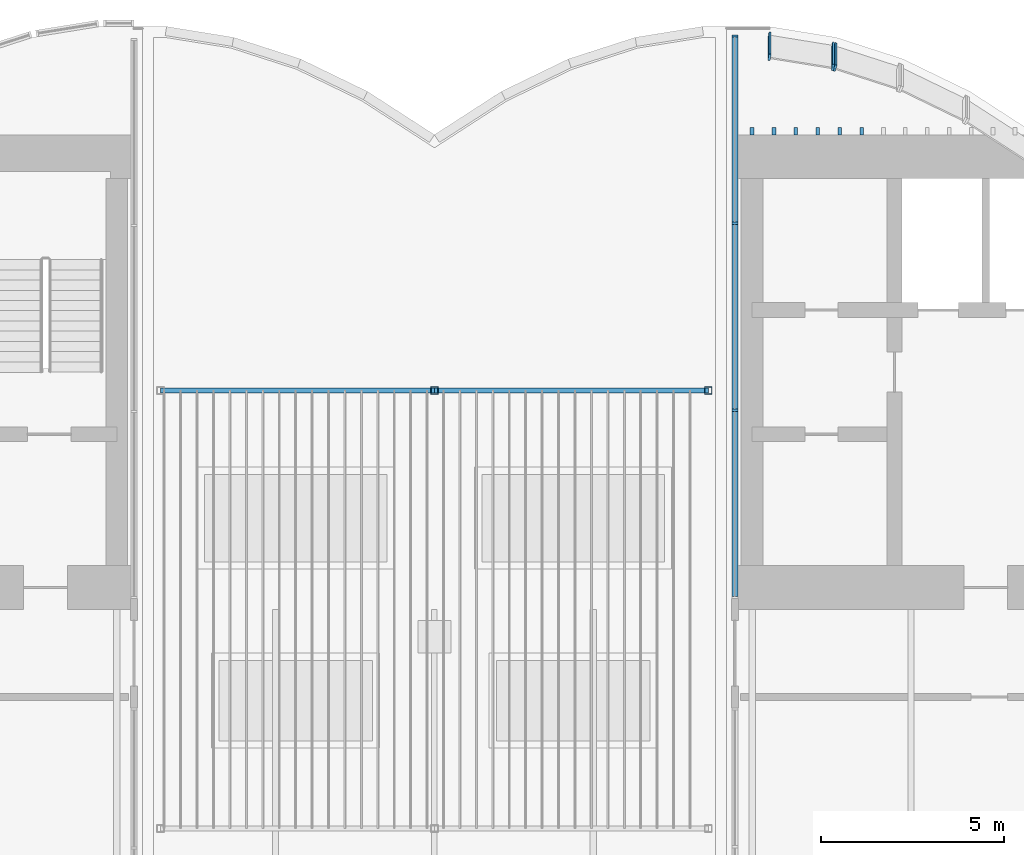
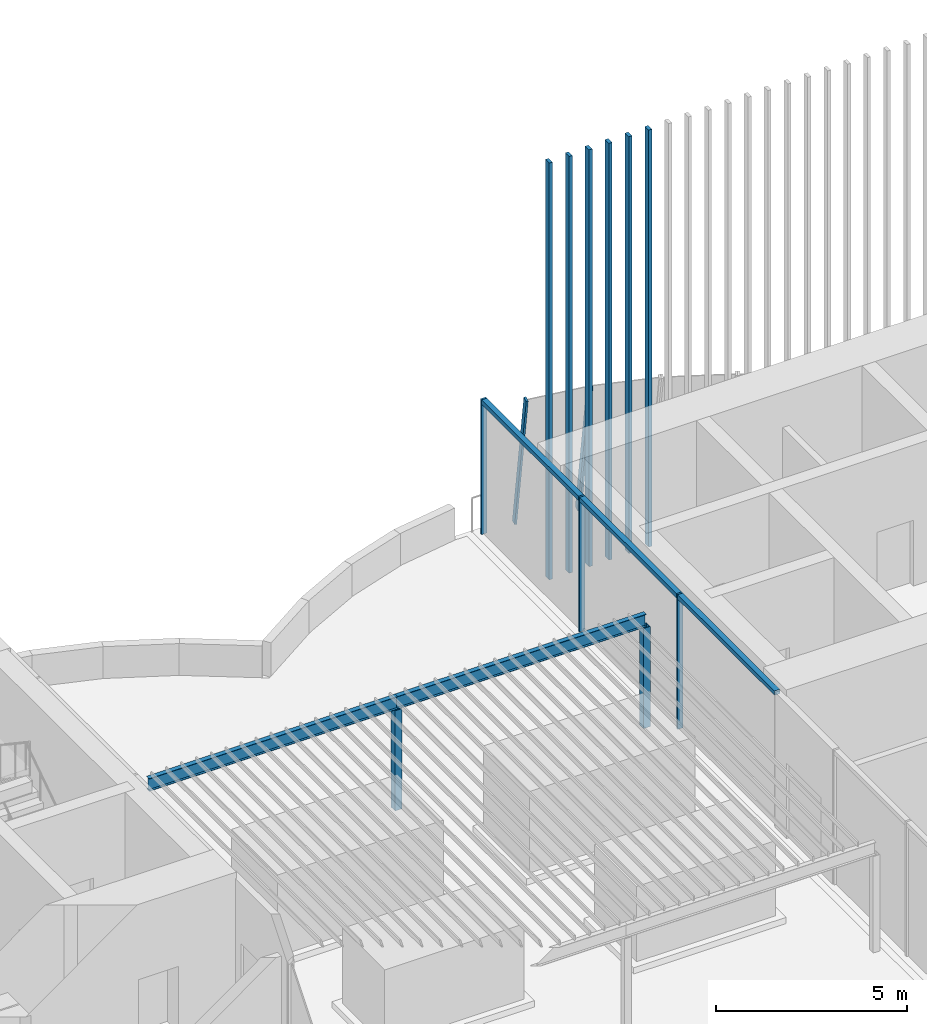
# One storey, part 8 of 18: 19 members, 5 elements without a shape of their own.
"""IFC4 building model written with IfcOpenShell, lengths in metres."""

from ifc_helpers import new_model, si_unit, direction, frame, origin, origin_2d, place, context, subcontext, project, spatial, rectangle, hollow_rectangle, i_section, extrude, material, material_profile, profile_set, type_object, element, aggregate, save


model = new_model("IFC4")

# Units and contexts
model_context = context("Model", 3, precision=1e-05, world=origin(), true_north=direction((0.0, 1.0)))
body_context = subcontext(model_context, "Body", "Model", "MODEL_VIEW")
ifc_project = project(units=[si_unit("LENGTHUNIT", "METRE"), si_unit("AREAUNIT", "SQUARE_METRE"), si_unit("VOLUMEUNIT", "CUBIC_METRE"), si_unit("PLANEANGLEUNIT", "RADIAN"), si_unit("MASSUNIT", "GRAM", prefix="KILO")], contexts=[model_context])

# Site, building, storey
site_placement = place(None, origin())
site = spatial("IfcSite", under=ifc_project, at=site_placement, CompositionType="ELEMENT")
building_placement = place(site_placement, origin())
building = spatial("IfcBuilding", under=site, at=building_placement, Name="Bicima Exchange Tower", CompositionType="ELEMENT")
storey_placement = place(building_placement, frame((0.0, 0.0, 347.89990234375)))
storey = spatial("IfcBuildingStorey", under=building, at=storey_placement, Name="L78", CompositionType="ELEMENT", Elevation=347.89990234375)

# Curtain wall, member
ifc_material_1 = material(Name="Anodised bronze aluminium", Category="aluminium")
curtain_wall_type_1 = type_object("IfcCurtainWallType", Name="Crown glass wall", PredefinedType="NOTDEFINED", material=ifc_material_1)
curtain_wall_1_placement = place(storey_placement, origin())
curtain_wall_1 = element("IfcCurtainWall", 1, at=curtain_wall_1_placement, inside=storey, type_object=curtain_wall_type_1, Name="Crown tilted glass L78 5.1", PredefinedType="NOTDEFINED")
ifc_material_profile_1 = material_profile(ifc_material_1, rectangle(XDim=0.179931640625, YDim=0.06005859375, at=origin_2d()))
ifc_profile_set_1 = profile_set([ifc_material_profile_1], Name="Anodised bronze aluminium")
member_type_1 = type_object("IfcMemberType", Name="Crown glass wall mullion 60 x 180", PredefinedType="MULLION", material=ifc_profile_set_1)
member_1_placement = place(storey_placement, frame((10.974609375, 2.43310546875, 0.0), z_axis=(0.0, -0.139154039626, 0.99027074745), x_axis=(-0.307572519808, -0.942267018828, -0.132408497791)))
member_1 = element("IfcMember", 2, at=member_1_placement, type_object=member_type_1, Name="Crown tilted mullion 2", PredefinedType="MULLION", context=body_context, shape_type="SweptSolid", body=[
    extrude(rectangle(XDim=0.179931640625, YDim=0.06005859375, at=origin_2d()), origin(), (0.0, 0.0, 1.0), 4.34228515625),
])
aggregate(curtain_wall_1, [member_1])

# Curtain wall, members
curtain_wall_2_placement = place(storey_placement, origin())
curtain_wall_2 = element("IfcCurtainWall", 3, at=curtain_wall_2_placement, inside=storey, type_object=curtain_wall_type_1, Name="Crown tilted glass L78 6.1", PredefinedType="NOTDEFINED")
member_2_placement = place(storey_placement, frame((10.91650390625, 2.447265625, 0.0), z_axis=(0.0, -0.139154039626, 0.99027074745), x_axis=(-0.159550386184, -0.977585167601, -0.137371446648)))
member_2 = element("IfcMember", 4, at=member_2_placement, type_object=member_type_1, Name="Crown tilted mullion 1", PredefinedType="MULLION", context=body_context, shape_type="SweptSolid", body=[
    extrude(rectangle(XDim=0.179931640625, YDim=0.06005859375, at=origin_2d()), origin(), (0.0, 0.0, 1.0), 4.34228515625),
])
member_3_placement = place(storey_placement, frame((9.177734375, 2.728271484375, 0.0), z_axis=(0.0, -0.139209174124, 0.990262998319), x_axis=(-0.159550386184, -0.977577517738, -0.137425874861)))
member_3 = element("IfcMember", 5, at=member_3_placement, type_object=member_type_1, Name="Crown tilted mullion 2", PredefinedType="MULLION", context=body_context, shape_type="SweptSolid", body=[
    extrude(rectangle(XDim=0.179931640625, YDim=0.06005859375, at=origin_2d()), origin(), (0.0, 0.0, 1.0), 4.34228515625),
])
aggregate(curtain_wall_2, [member_2, member_3])

curtain_wall_type_2 = type_object("IfcCurtainWallType", Name="Louvre screen", PredefinedType="NOTDEFINED", material=ifc_material_1)
curtain_wall_3_placement = place(storey_placement, origin())
curtain_wall_3 = element("IfcCurtainWall", 6, at=curtain_wall_3_placement, inside=storey, type_object=curtain_wall_type_2, Name="Crown louvre SCREEN east", PredefinedType="NOTDEFINED")
ifc_material_profile_2 = material_profile(ifc_material_1, rectangle(XDim=0.10009765625, YDim=0.199951171875, at=origin_2d()))
ifc_profile_set_2 = profile_set([ifc_material_profile_2], Name="Anodised bronze aluminium")
member_type_2 = type_object("IfcMemberType", Name="Crown louvre fin 200 x 100", PredefinedType="USERDEFINED", material=ifc_profile_set_2)
member_4_placement = place(storey_placement, frame((8.699951171875, 0.10009765625, 0.0), z_axis=(0.0, 0.0, 1.0), x_axis=(1.0, 0.0, 0.0)))
member_4 = element("IfcMember", 7, at=member_4_placement, type_object=member_type_2, Name="Crown louvre fin", ObjectType="SCREEN", PredefinedType="USERDEFINED", context=body_context, shape_type="SweptSolid", body=[
    extrude(rectangle(XDim=0.10009765625, YDim=0.199951171875, at=origin_2d()), origin(), (0.0, 0.0, 1.0), 13.300048828125),
])
member_5_placement = place(storey_placement, frame((9.300048828125, 0.10009765625, 0.0), z_axis=(0.0, 0.0, 1.0), x_axis=(1.0, 0.0, 0.0)))
member_5 = element("IfcMember", 8, at=member_5_placement, type_object=member_type_2, Name="Crown louvre fin", ObjectType="SCREEN", PredefinedType="USERDEFINED", context=body_context, shape_type="SweptSolid", body=[
    extrude(rectangle(XDim=0.10009765625, YDim=0.199951171875, at=origin_2d()), origin(), (0.0, 0.0, 1.0), 13.300048828125),
])
member_6_placement = place(storey_placement, frame((9.89990234375, 0.10009765625, 0.0), z_axis=(0.0, 0.0, 1.0), x_axis=(1.0, 0.0, 0.0)))
member_6 = element("IfcMember", 9, at=member_6_placement, type_object=member_type_2, Name="Crown louvre fin", ObjectType="SCREEN", PredefinedType="USERDEFINED", context=body_context, shape_type="SweptSolid", body=[
    extrude(rectangle(XDim=0.10009765625, YDim=0.199951171875, at=origin_2d()), origin(), (0.0, 0.0, 1.0), 13.300048828125),
])
member_7_placement = place(storey_placement, frame((10.5, 0.10009765625, 0.0), z_axis=(0.0, 0.0, 1.0), x_axis=(1.0, 0.0, 0.0)))
member_7 = element("IfcMember", 10, at=member_7_placement, type_object=member_type_2, Name="Crown louvre fin", ObjectType="SCREEN", PredefinedType="USERDEFINED", context=body_context, shape_type="SweptSolid", body=[
    extrude(rectangle(XDim=0.10009765625, YDim=0.199951171875, at=origin_2d()), origin(), (0.0, 0.0, 1.0), 13.300048828125),
])
member_8_placement = place(storey_placement, frame((11.10009765625, 0.10009765625, 0.0), z_axis=(0.0, 0.0, 1.0), x_axis=(1.0, 0.0, 0.0)))
member_8 = element("IfcMember", 11, at=member_8_placement, type_object=member_type_2, Name="Crown louvre fin", ObjectType="SCREEN", PredefinedType="USERDEFINED", context=body_context, shape_type="SweptSolid", body=[
    extrude(rectangle(XDim=0.10009765625, YDim=0.199951171875, at=origin_2d()), origin(), (0.0, 0.0, 1.0), 13.300048828125),
])
member_9_placement = place(storey_placement, frame((11.699951171875, 0.10009765625, 0.0), z_axis=(0.0, 0.0, 1.0), x_axis=(1.0, 0.0, 0.0)))
member_9 = element("IfcMember", 12, at=member_9_placement, type_object=member_type_2, Name="Crown louvre fin", ObjectType="SCREEN", PredefinedType="USERDEFINED", context=body_context, shape_type="SweptSolid", body=[
    extrude(rectangle(XDim=0.10009765625, YDim=0.199951171875, at=origin_2d()), origin(), (0.0, 0.0, 1.0), 13.300048828125),
])
aggregate(curtain_wall_3, [member_4, member_5, member_6, member_7, member_8, member_9])

curtain_wall_type_3 = type_object("IfcCurtainWallType", Name="End face glass wall", PredefinedType="NOTDEFINED", material=ifc_material_1)
curtain_wall_4_placement = place(storey_placement, origin())
curtain_wall_4 = element("IfcCurtainWall", 13, at=curtain_wall_4_placement, inside=storey, type_object=curtain_wall_type_3, Name="End face glass wall L78 run 2.1", PredefinedType="NOTDEFINED")
ifc_material_profile_3 = material_profile(ifc_material_1, rectangle(XDim=0.159912109375, YDim=0.06005859375, at=origin_2d()))
ifc_profile_set_3 = profile_set([ifc_material_profile_3], Name="Anodised bronze aluminium")
member_type_3 = type_object("IfcMemberType", Name="End face glass wall mullion 60 x 160", PredefinedType="MULLION", material=ifc_profile_set_3)
member_10_placement = place(storey_placement, frame((8.22998046875, 2.702880859375, 0.0), z_axis=(0.0, 0.0, 1.0), x_axis=(1.0, 0.0, 0.0)))
member_10 = element("IfcMember", 14, at=member_10_placement, type_object=member_type_3, Name="End face glass wall mullion 1", PredefinedType="MULLION", context=body_context, shape_type="SweptSolid", body=[
    extrude(rectangle(XDim=0.159912109375, YDim=0.06005859375, at=origin_2d()), origin(), (0.0, 0.0, 1.0), 4.300048828125),
])
member_11_placement = place(storey_placement, frame((8.22998046875, -2.42138671875, 0.0), z_axis=(0.0, 0.0, 1.0), x_axis=(1.0, 0.0, 0.0)))
member_11 = element("IfcMember", 15, at=member_11_placement, type_object=member_type_3, Name="End face glass wall mullion 2", PredefinedType="MULLION", context=body_context, shape_type="SweptSolid", body=[
    extrude(rectangle(XDim=0.159912109375, YDim=0.06005859375, at=origin_2d()), origin(), (0.0, 0.0, 1.0), 4.300048828125),
])
member_12_placement = place(storey_placement, frame((8.22998046875, -7.545654296875, 0.0), z_axis=(0.0, 0.0, 1.0), x_axis=(1.0, 0.0, 0.0)))
member_12 = element("IfcMember", 16, at=member_12_placement, type_object=member_type_3, Name="End face glass wall mullion 3", PredefinedType="MULLION", context=body_context, shape_type="SweptSolid", body=[
    extrude(rectangle(XDim=0.159912109375, YDim=0.06005859375, at=origin_2d()), origin(), (0.0, 0.0, 1.0), 4.300048828125),
])
ifc_material_profile_4 = material_profile(ifc_material_1, rectangle(XDim=0.159912109375, YDim=0.139892578125, at=origin_2d()))
ifc_profile_set_4 = profile_set([ifc_material_profile_4], Name="Anodised bronze aluminium")
member_type_4 = type_object("IfcMemberType", Name="End face glass wall transom 140 x 160", PredefinedType="USERDEFINED", material=ifc_profile_set_4)
member_13_placement = place(storey_placement, frame((8.22998046875, 2.673095703125, 4.22998046875), z_axis=(0.0, -1.0, 0.0), x_axis=(1.0, 0.0, 0.0)))
member_13 = element("IfcMember", 17, at=member_13_placement, type_object=member_type_4, Name="End face glass wall transom 1.1", ObjectType="TRANSOM", PredefinedType="USERDEFINED", context=body_context, shape_type="SweptSolid", body=[
    extrude(rectangle(XDim=0.159912109375, YDim=0.139892578125, at=origin_2d()), origin(), (0.0, 0.0, 1.0), 5.064453125),
])
member_14_placement = place(storey_placement, frame((8.22998046875, -2.451416015625, 4.22998046875), z_axis=(0.0, -1.0, 0.0), x_axis=(1.0, 0.0, 0.0)))
member_14 = element("IfcMember", 18, at=member_14_placement, type_object=member_type_4, Name="End face glass wall transom 2.1", ObjectType="TRANSOM", PredefinedType="USERDEFINED", context=body_context, shape_type="SweptSolid", body=[
    extrude(rectangle(XDim=0.159912109375, YDim=0.139892578125, at=origin_2d()), origin(), (0.0, 0.0, 1.0), 5.064208984375),
])
member_15_placement = place(storey_placement, frame((8.22998046875, -7.57568359375, 4.22998046875), z_axis=(0.0, -1.0, 0.0), x_axis=(1.0, 0.0, 0.0)))
member_15 = element("IfcMember", 19, at=member_15_placement, type_object=member_type_4, Name="End face glass wall transom 3.1", ObjectType="TRANSOM", PredefinedType="USERDEFINED", context=body_context, shape_type="SweptSolid", body=[
    extrude(rectangle(XDim=0.159912109375, YDim=0.139892578125, at=origin_2d()), origin(), (0.0, 0.0, 1.0), 5.064208984375),
])
aggregate(curtain_wall_4, [member_10, member_11, member_12, member_13, member_14, member_15])

curtain_wall_5_placement = place(storey_placement, origin())
curtain_wall_5 = element("IfcCurtainWall", 20, at=curtain_wall_5_placement, inside=storey, type_object=curtain_wall_type_2, Name="Slot roof louvre SCREEN", PredefinedType="NOTDEFINED")
ifc_material_2 = material(Name="Steel ASTM A992 Gr 50", Category="steel")
ifc_material_profile_5 = material_profile(ifc_material_2, i_section(OverallWidth=0.140380859375, OverallDepth=0.40380859375, WebThickness=0.007080078125, FlangeThickness=0.01123046875, at=origin_2d()))
ifc_profile_set_5 = profile_set([ifc_material_profile_5], Name="Steel ASTM A992 Gr 50")
member_type_5 = type_object("IfcMemberType", Name="Louvre screen beam W16x31", PredefinedType="USERDEFINED", material=ifc_profile_set_5)
member_16_placement = place(storey_placement, frame((-7.5, -7.0, 3.398193359375), z_axis=(1.0, 0.0, 0.0), x_axis=(0.0, 1.0, 0.0)))
member_16 = element("IfcMember", 21, at=member_16_placement, type_object=member_type_5, Name="Louvre screen beam", ObjectType="Louvre screen beam", PredefinedType="USERDEFINED", context=body_context, shape_type="SweptSolid", body=[
    extrude(i_section(OverallWidth=0.140380859375, OverallDepth=0.40380859375, WebThickness=0.007080078125, FlangeThickness=0.01123046875, at=origin_2d()), origin(), (0.0, 0.0, 1.0), 7.5),
])
member_17_placement = place(storey_placement, frame((0.0, -7.0, 3.398193359375), z_axis=(1.0, 0.0, 0.0), x_axis=(0.0, 1.0, 0.0)))
member_17 = element("IfcMember", 22, at=member_17_placement, type_object=member_type_5, Name="Louvre screen beam", ObjectType="Louvre screen beam", PredefinedType="USERDEFINED", context=body_context, shape_type="SweptSolid", body=[
    extrude(i_section(OverallWidth=0.140380859375, OverallDepth=0.40380859375, WebThickness=0.007080078125, FlangeThickness=0.01123046875, at=origin_2d()), origin(), (0.0, 0.0, 1.0), 7.5),
])
ifc_material_3 = material(Name="Steel ASTM A572 Gr 50", Category="steel")
ifc_material_profile_6 = material_profile(ifc_material_3, hollow_rectangle(XDim=0.203125, YDim=0.203125, WallThickness=0.01171875, at=origin_2d()))
ifc_profile_set_6 = profile_set([ifc_material_profile_6], Name="Steel ASTM A572 Gr 50")
member_type_6 = type_object("IfcMemberType", Name="Louvre screen post HSS8x8x1/2", PredefinedType="USERDEFINED", material=ifc_profile_set_6)
member_18_placement = place(storey_placement, frame((0.0, -7.0, 0.0), z_axis=(0.0, 0.0, 1.0), x_axis=(1.0, 0.0, 0.0)))
member_18 = element("IfcMember", 23, at=member_18_placement, type_object=member_type_6, Name="Louvre screen post", ObjectType="Louvre screen post", PredefinedType="USERDEFINED", context=body_context, shape_type="SweptSolid", body=[
    extrude(hollow_rectangle(XDim=0.203125, YDim=0.203125, WallThickness=0.01171875, at=origin_2d()), origin(), (0.0, 0.0, 1.0), 3.1962890625),
])
member_19_placement = place(storey_placement, frame((7.5, -7.0, 0.0), z_axis=(0.0, 0.0, 1.0), x_axis=(1.0, 0.0, 0.0)))
member_19 = element("IfcMember", 24, at=member_19_placement, type_object=member_type_6, Name="Louvre screen post", ObjectType="Louvre screen post", PredefinedType="USERDEFINED", context=body_context, shape_type="SweptSolid", body=[
    extrude(hollow_rectangle(XDim=0.203125, YDim=0.203125, WallThickness=0.01171875, at=origin_2d()), origin(), (0.0, 0.0, 1.0), 3.1962890625),
])
aggregate(curtain_wall_5, [member_18, member_19, member_16, member_17])

save(model, "model.ifc")
